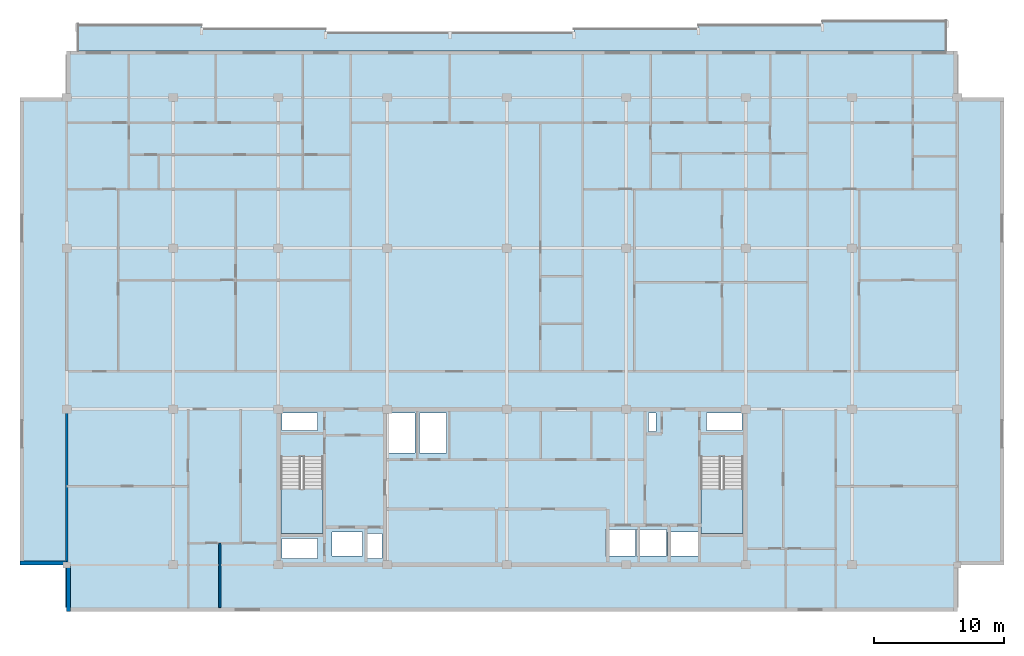
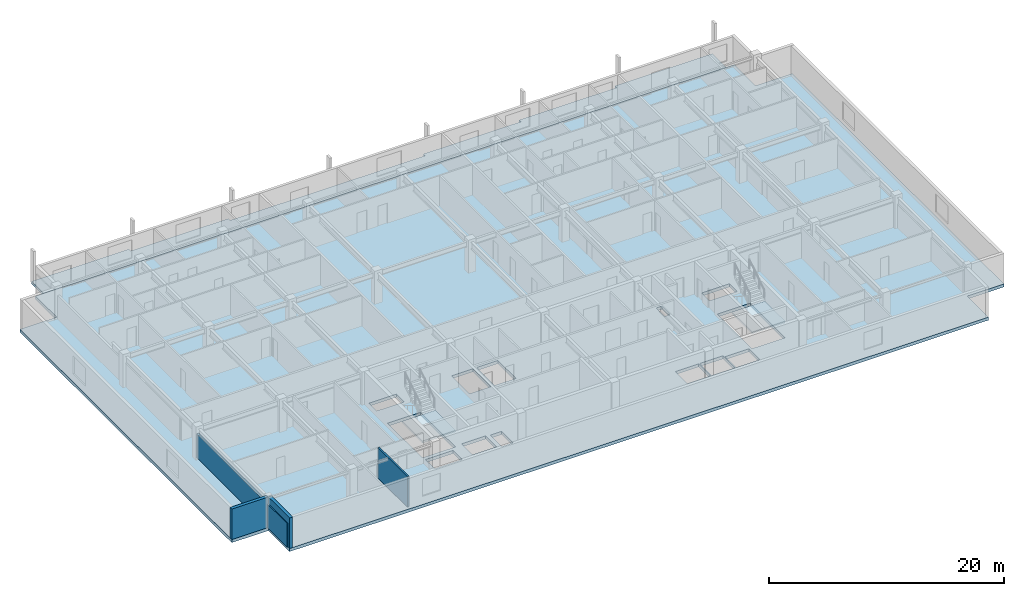
# One storey, part 2 of 10: 4 slabs, 4 walls, 2 elements without a shape of their own.
"""IFC4 building model written with IfcOpenShell, lengths in metres."""

from ifc_helpers import new_model, si_unit, direction, frame, frame_2d, origin, place, context, subcontext, project, spatial, polyline, rectangle, outline, extrude, material, layer, layer_set, type_object, element, aggregate, save


model = new_model("IFC4")

# Units and contexts
model_context = context("Model", 3, precision=1e-05, world=origin(), true_north=direction((0.0, 1.0)))
body_context = subcontext(model_context, "Body", "Model", "MODEL_VIEW")
ifc_project = project(units=[si_unit("LENGTHUNIT", "METRE"), si_unit("AREAUNIT", "SQUARE_METRE"), si_unit("VOLUMEUNIT", "CUBIC_METRE"), si_unit("PLANEANGLEUNIT", "RADIAN"), si_unit("MASSUNIT", "GRAM", prefix="KILO")], contexts=[model_context])

# Site, building, storey
site_placement = place(None, origin())
site = spatial("IfcSite", under=ifc_project, at=site_placement, CompositionType="ELEMENT")
building_placement = place(site_placement, origin())
building = spatial("IfcBuilding", under=site, at=building_placement, Name="Korimba Cascade Residences", CompositionType="ELEMENT")
storey_placement = place(building_placement, frame((0.0, 0.0, 228.64990234375)))
storey = spatial("IfcBuildingStorey", under=building, at=storey_placement, Name="L66", CompositionType="ELEMENT", Elevation=228.64990234375)

# Stair, slab
ifc_material_1 = material(Name="Concrete C50/60", Category="concrete")
stair_type_1 = type_object("IfcStairType", Name="STR-W1-20R-1725", PredefinedType="HALF_TURN_STAIR", material=ifc_material_1)
stair_1_placement = place(storey_placement, origin())
stair_1 = element("IfcStair", 1, at=stair_1_placement, inside=storey, type_object=stair_type_1, Name="L66 Tower 1 West Fire Stair ST-W1", PredefinedType="HALF_TURN_STAIR")
ifc_layer_1 = layer(ifc_material_1, 0.199951171875)
ifc_layer_set_1 = layer_set([ifc_layer_1], Name="Concrete C50/60")
slab_type_1 = type_object("IfcSlabType", Name="SLB-LND-220", PredefinedType="LANDING", material=ifc_layer_set_1)
slab_1_placement = place(storey_placement, frame((0.0, 0.0, 1.525146484375)))
slab_1 = element("IfcSlab", 2, at=slab_1_placement, type_object=slab_type_1, Name="ST-W1 landing 1", PredefinedType="LANDING", context=body_context, shape_type="SweptSolid", body=[
    extrude(outline(polyline([(76.300048828125, 61.030029296875), (76.300048828125, 57.60009765625), (79.5400390625, 57.60009765625), (79.5400390625, 61.030029296875), (76.300048828125, 61.030029296875)])), origin(), (0.0, 0.0, 1.0), 0.199951171875),
])
aggregate(stair_1, [slab_1])

stair_type_2 = type_object("IfcStairType", Name="STR-W2-20R-1725", PredefinedType="HALF_TURN_STAIR", material=ifc_material_1)
stair_2_placement = place(storey_placement, origin())
stair_2 = element("IfcStair", 3, at=stair_2_placement, inside=storey, type_object=stair_type_2, Name="L66 Tower 1 East Fire Stair ST-W2", PredefinedType="HALF_TURN_STAIR")
slab_2_placement = place(storey_placement, frame((0.0, 0.0, 1.525146484375)))
slab_2 = element("IfcSlab", 4, at=slab_2_placement, type_object=slab_type_1, Name="ST-W2 landing 1", PredefinedType="LANDING", context=body_context, shape_type="SweptSolid", body=[
    extrude(outline(polyline([(108.659912109375, 61.030029296875), (108.659912109375, 57.60009765625), (111.89990234375, 57.60009765625), (111.89990234375, 61.030029296875), (108.659912109375, 61.030029296875)])), origin(), (0.0, 0.0, 1.0), 0.199951171875),
])
aggregate(stair_2, [slab_2])

# Slabs
ifc_material_2 = material(Name="Precast concrete C40/50", Category="concrete")
ifc_layer_2 = layer(ifc_material_2, 0.239990234375)
ifc_layer_set_2 = layer_set([ifc_layer_2], Name="Precast concrete C40/50")
slab_type_2 = type_object("IfcSlabType", Name="SLB-LOG-240", PredefinedType="FLOOR", material=ifc_layer_set_2)
slab_3_placement = place(storey_placement, frame((0.0, 0.0, -0.239990234375)))
element("IfcSlab", 5, at=slab_3_placement, inside=storey, type_object=slab_type_2, Name="L66 Tower 1 North Loggia Slab", PredefinedType="FLOOR", context=body_context, shape_type="SweptSolid", body=[
    extrude(outline(polyline([(60.60009765625, 94.800048828125), (127.60009765625, 94.800048828125), (127.60009765625, 97.14990234375), (118.028564453125, 97.14990234375), (118.028564453125, 96.85009765625), (108.45703125, 96.85009765625), (108.45703125, 96.550048828125), (98.8857421875, 96.550048828125), (98.8857421875, 96.25), (79.742919921875, 96.25), (79.742919921875, 96.550048828125), (70.17138671875, 96.550048828125), (70.17138671875, 96.85009765625), (60.60009765625, 96.85009765625), (60.60009765625, 94.800048828125)])), origin(), (0.0, 0.0, 1.0), 0.239990234375),
])
ifc_material_3 = material(Name="Concrete C65/80", Category="concrete")
ifc_layer_3 = layer(ifc_material_3, 0.320068359375)
ifc_layer_set_3 = layer_set([ifc_layer_3], Name="Concrete C65/80")
slab_type_3 = type_object("IfcSlabType", Name="SLB-TRF-320", PredefinedType="FLOOR", material=ifc_layer_set_3)
slab_4_placement = place(storey_placement, frame((0.0, 0.0, -0.31982421875)))
element("IfcSlab", 6, at=slab_4_placement, inside=storey, type_object=slab_type_3, Name="L66 Tower 1 Floor Slab", PredefinedType="FLOOR", context=body_context, shape_type="SweptSolid", body=[
    extrude(outline(polyline([(59.800048828125, 51.60009765625), (128.39990234375, 51.60009765625), (128.39990234375, 55.199951171875), (132.0, 55.199951171875), (132.0, 91.199951171875), (128.39990234375, 91.199951171875), (128.39990234375, 94.800048828125), (59.800048828125, 94.800048828125), (59.800048828125, 91.199951171875), (56.199951171875, 91.199951171875), (56.199951171875, 55.199951171875), (59.800048828125, 55.199951171875), (59.800048828125, 51.60009765625)]), holes=[polyline([(76.300048828125, 63.514892578125), (76.300048828125, 57.60009765625), (79.5400390625, 57.60009765625), (79.5400390625, 63.514892578125), (76.300048828125, 63.514892578125)]), polyline([(108.659912109375, 63.514892578125), (108.659912109375, 57.60009765625), (111.89990234375, 57.60009765625), (111.89990234375, 63.514892578125), (108.659912109375, 63.514892578125)]), polyline([(80.22998046875, 55.8798828125), (82.570068359375, 55.8798828125), (82.570068359375, 57.719970703125), (80.22998046875, 57.719970703125), (80.22998046875, 55.8798828125)]), polyline([(106.080078125, 55.8798828125), (108.419921875, 55.8798828125), (108.419921875, 57.719970703125), (106.080078125, 57.719970703125), (106.080078125, 55.8798828125)]), polyline([(101.304931640625, 55.8798828125), (103.594970703125, 55.8798828125), (103.594970703125, 57.919921875), (101.304931640625, 57.919921875), (101.304931640625, 55.8798828125)]), polyline([(103.705078125, 55.8798828125), (105.9951171875, 55.8798828125), (105.9951171875, 57.919921875), (103.705078125, 57.919921875), (103.705078125, 55.8798828125)]), polyline([(82.97998046875, 55.679931640625), (84.080078125, 55.679931640625), (84.080078125, 57.6201171875), (82.97998046875, 57.6201171875), (82.97998046875, 55.679931640625)]), polyline([(76.39990234375, 65.56005859375), (79.10009765625, 65.56005859375), (79.10009765625, 66.8798828125), (76.39990234375, 66.8798828125), (76.39990234375, 65.56005859375)]), polyline([(76.39990234375, 55.679931640625), (79.10009765625, 55.679931640625), (79.10009765625, 57.239990234375), (76.39990234375, 57.239990234375), (76.39990234375, 55.679931640625)]), polyline([(84.530029296875, 63.820068359375), (86.6201171875, 63.820068359375), (86.6201171875, 66.8798828125), (84.530029296875, 66.8798828125), (84.530029296875, 63.820068359375)]), polyline([(86.97998046875, 63.820068359375), (89.070068359375, 63.820068359375), (89.070068359375, 66.8798828125), (86.97998046875, 66.8798828125), (86.97998046875, 63.820068359375)]), polyline([(104.6201171875, 65.4599609375), (105.179931640625, 65.4599609375), (105.179931640625, 66.8798828125), (104.6201171875, 66.8798828125), (104.6201171875, 65.4599609375)]), polyline([(109.080078125, 65.56005859375), (111.800048828125, 65.56005859375), (111.800048828125, 66.8798828125), (109.080078125, 66.8798828125), (109.080078125, 65.56005859375)])]), origin(), (0.0, 0.0, 1.0), 0.31982421875),
])

# Walls
ifc_layer_4 = layer(ifc_material_2, 0.300048828125)
ifc_layer_set_4 = layer_set([ifc_layer_4], Name="Precast concrete C40/50")
wall_type_1 = type_object("IfcWallType", Name="EW-STONE-300", PredefinedType="STANDARD", material=ifc_layer_set_4)
wall_1_placement = place(storey_placement, frame((56.199951171875, 55.35009765625, 0.0), z_axis=(0.0, 0.0, 1.0), x_axis=(1.0, 0.0, 0.0)))
element("IfcWall", 7, at=wall_1_placement, inside=storey, type_object=wall_type_1, Name="L66 T1 Perimeter Stone Wall E10", PredefinedType="STANDARD", context=body_context, shape_type="SweptSolid", body=[
    extrude(rectangle(XDim=3.60009765625, YDim=0.300048828125, at=frame_2d((1.800048828125, 0.0))), origin(), (0.0, 0.0, 1.0), 3.170166015625),
])
wall_2_placement = place(storey_placement, frame((59.949951171875, 55.199951171875, 0.0), z_axis=(0.0, 0.0, 1.0), x_axis=(0.0, -1.0, 0.0)))
element("IfcWall", 8, at=wall_2_placement, inside=storey, type_object=wall_type_1, Name="L66 T1 Perimeter Stone Wall E11", PredefinedType="STANDARD", context=body_context, shape_type="SweptSolid", body=[
    extrude(rectangle(XDim=3.599853515625, YDim=0.300048828125, at=frame_2d((1.7998046875, 0.0))), origin(), (0.0, 0.0, 1.0), 3.170166015625),
])
ifc_layer_5 = layer(ifc_material_2, 0.199951171875)
ifc_layer_set_5 = layer_set([ifc_layer_5], Name="Precast concrete C40/50")
wall_type_2 = type_object("IfcWallType", Name="WAL-IT-200", PredefinedType="PARTITIONING", material=ifc_layer_set_5)
wall_3_placement = place(storey_placement, frame((59.800048828125, 51.89990234375, 0.0), z_axis=(0.0, 0.0, 1.0), x_axis=(0.0, 1.0, 0.0)))
element("IfcWall", 9, at=wall_3_placement, inside=storey, type_object=wall_type_2, Name="L66 Partition Wall WAL-L66-T1-FW-WL", PredefinedType="PARTITIONING", context=body_context, shape_type="SweptSolid", body=[
    extrude(rectangle(XDim=15.300048828125, YDim=0.199951171875, at=frame_2d((7.64990234375, 0.0))), origin(), (0.0, 0.0, 1.0), 2.477294921875),
])
ifc_material_4 = material(Name="Insulated Acoustic Stud Partition", Category="gypsum")
ifc_layer_6 = layer(ifc_material_4, 0.14990234375)
ifc_layer_set_6 = layer_set([ifc_layer_6], Name="Insulated Acoustic Stud Partition")
wall_type_3 = type_object("IfcWallType", Name="WAL-PART-150", PredefinedType="PARTITIONING", material=ifc_layer_set_6)
wall_4_placement = place(storey_placement, frame((71.60009765625, 51.89990234375, 0.0), z_axis=(0.0, 0.0, 1.0), x_axis=(0.0, 1.0, 0.0)))
element("IfcWall", 10, at=wall_4_placement, inside=storey, type_object=wall_type_3, Name="L66 Partition Wall WAL-L66-T1-FW-VS", PredefinedType="PARTITIONING", context=body_context, shape_type="SweptSolid", body=[
    extrude(rectangle(XDim=4.97021484375, YDim=0.14990234375, at=frame_2d((2.485107421875, 0.0))), origin(), (0.0, 0.0, 1.0), 3.170166015625),
])

save(model, "model.ifc")
